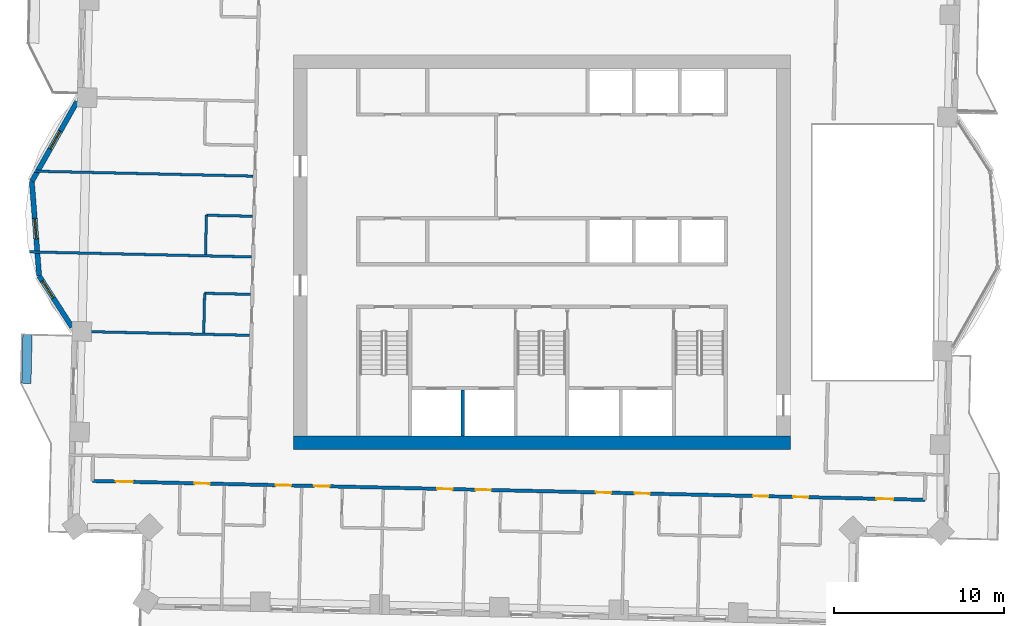
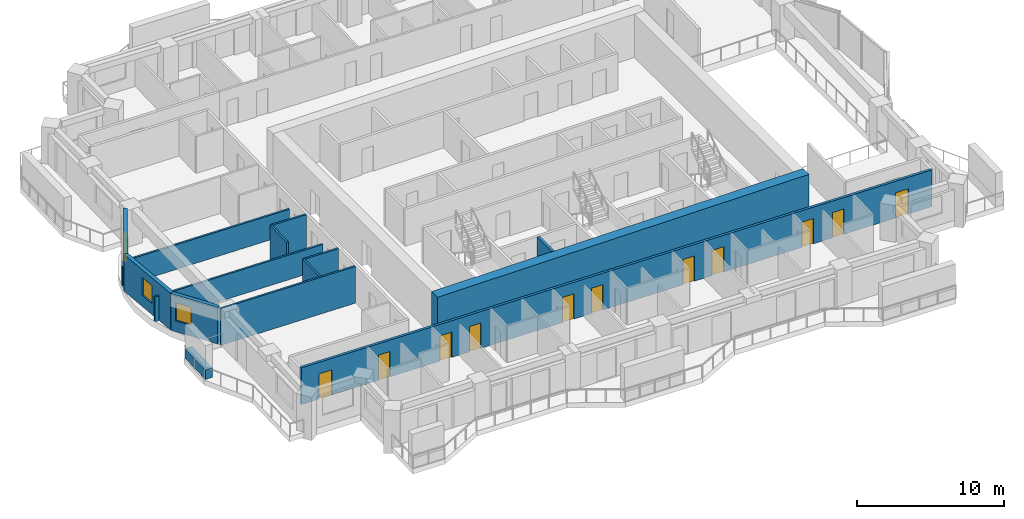
# One storey, part 7 of 16: 14 walls, 11 doors, 3 windows, 14 openings.
"""IFC4 building model written with IfcOpenShell, lengths in metres."""

from ifc_helpers import new_model, si_unit, direction, frame, frame_2d, origin, place, context, subcontext, project, spatial, rectangle, extrude, material, layer, layer_set, type_object, element, fill, save


model = new_model("IFC4")

# Units and contexts
model_context = context("Model", 3, precision=1e-05, world=origin(), true_north=direction((0.0, 1.0)))
body_context = subcontext(model_context, "Body", "Model", "MODEL_VIEW")
ifc_project = project(units=[si_unit("LENGTHUNIT", "METRE"), si_unit("AREAUNIT", "SQUARE_METRE"), si_unit("VOLUMEUNIT", "CUBIC_METRE"), si_unit("PLANEANGLEUNIT", "RADIAN"), si_unit("MASSUNIT", "GRAM", prefix="KILO")], contexts=[model_context])

# Site, building, storey
site_placement = place(None, origin())
site = spatial("IfcSite", under=ifc_project, at=site_placement, CompositionType="ELEMENT")
building_placement = place(site_placement, origin())
building = spatial("IfcBuilding", under=site, at=building_placement, Name="Mangrove Gate Tower", CompositionType="ELEMENT")
storey_placement = place(building_placement, frame((0.0, 0.0, 201.5)))
storey = spatial("IfcBuildingStorey", under=building, at=storey_placement, Name="L51", CompositionType="ELEMENT", Elevation=201.5)

# Walls
ifc_material_1 = material(Name="Concrete C60/75", Category="concrete")
ifc_layer_1 = layer(ifc_material_1, 0.199951171875)
ifc_layer_set_1 = layer_set([ifc_layer_1], Name="Core shaft wall 200 C60/75")
wall_type_1 = type_object("IfcWallType", Name="Core shaft wall 200 C60/75", PredefinedType="SHEAR", material=ifc_layer_set_1)
wall_1_placement = place(storey_placement, frame((-4.64990234375, -10.800048828125, 0.0), z_axis=(0.0, 0.0, 1.0), x_axis=(0.0, 1.0, 0.0)))
element("IfcWall", 1, at=wall_1_placement, inside=storey, type_object=wall_type_1, Name="WALL-L51-CORE-16", PredefinedType="SHEAR", context=body_context, shape_type="SweptSolid", body=[
    extrude(rectangle(XDim=2.699951171875, YDim=0.199951171875, at=frame_2d((1.35009765625, 0.0))), origin(), (0.0, 0.0, 1.0), 3.050048828125),
])
ifc_material_2 = material(Name="Concrete C60/75", Category="concrete")
ifc_layer_2 = layer(ifc_material_2, 0.800048828125)
ifc_layer_set_2 = layer_set([ifc_layer_2], Name="Core wall 800 C60/75")
wall_type_2 = type_object("IfcWallType", Name="Core wall 800 C60/75", PredefinedType="SHEAR", material=ifc_layer_set_2)
wall_2_placement = place(storey_placement, frame((-14.60009765625, -11.199951171875, 0.0), z_axis=(0.0, 0.0, 1.0), x_axis=(1.0, 0.0, 0.0)))
element("IfcWall", 2, at=wall_2_placement, inside=storey, type_object=wall_type_2, Name="WALL-L51-CORE-1", PredefinedType="SHEAR", context=body_context, shape_type="SweptSolid", body=[
    extrude(rectangle(XDim=29.2001953125, YDim=0.800048828125, at=frame_2d((14.60009765625, 0.0))), origin(), (0.0, 0.0, 1.0), 3.60009765625),
])

# Wall, openings, doors
ifc_material_3 = material(Name="Gypsum board on steel stud, EI 60", Category="steel")
ifc_layer_3 = layer(ifc_material_3, 0.199951171875)
ifc_layer_set_3 = layer_set([ifc_layer_3], Name="Corridor wall EI 60")
wall_type_3 = type_object("IfcWallType", Name="Corridor wall EI 60", PredefinedType="PARTITIONING", material=ifc_layer_set_3)
wall_3_placement = place(storey_placement, frame((-26.4208984375, -13.44091796875, 0.0), z_axis=(0.0, 0.0, 1.0), x_axis=(0.999742754064, -0.022680954485, 0.0)))
wall_3 = element("IfcWall", 3, at=wall_3_placement, inside=storey, type_object=wall_type_3, Name="WALL-L51-024", PredefinedType="PARTITIONING", context=body_context, shape_type="SweptSolid", body=[
    extrude(rectangle(XDim=48.944580078125, YDim=0.199951171875, at=frame_2d((24.47216796875, 0.0))), origin(), (0.0, 0.0, 1.0), 3.050048828125),
])
opening_1_placement = place(wall_3_placement, frame((1.375, 0.0, 0.0)))
opening_1 = element("IfcOpeningElement", 4, at=opening_1_placement, cuts=wall_3, Name="Opening AD", PredefinedType="OPENING", context=body_context, shape_type="SweptSolid", body=[
    extrude(rectangle(XDim=1.0, YDim=2.10009765625, at=frame_2d((0.5, 1.050048828125))), frame((0.0, 0.10986328125, 0.0), z_axis=(0.0, -1.0, 0.0), x_axis=(1.0, 0.0, 0.0)), (0.0, 0.0, 1.0), 0.219970703125),
])
opening_2_placement = place(wall_3_placement, frame((6.0, 0.0, 0.0)))
opening_2 = element("IfcOpeningElement", 5, at=opening_2_placement, cuts=wall_3, Name="Opening SD", PredefinedType="OPENING", context=body_context, shape_type="SweptSolid", body=[
    extrude(rectangle(XDim=0.89990234375, YDim=2.10009765625, at=frame_2d((0.449951171875, 1.050048828125))), frame((0.0, 0.10986328125, 0.0), z_axis=(0.0, -1.0, 0.0), x_axis=(1.0, 0.0, 0.0)), (0.0, 0.0, 1.0), 0.219970703125),
])
opening_3_placement = place(wall_3_placement, frame((10.77490234375, 0.0, 0.0)))
opening_3 = element("IfcOpeningElement", 6, at=opening_3_placement, cuts=wall_3, Name="Opening BD", PredefinedType="OPENING", context=body_context, shape_type="SweptSolid", body=[
    extrude(rectangle(XDim=0.89990234375, YDim=2.10009765625, at=frame_2d((0.449951171875, 1.050048828125))), frame((0.0, 0.10986328125, 0.0), z_axis=(0.0, -1.0, 0.0), x_axis=(1.0, 0.0, 0.0)), (0.0, 0.0, 1.0), 0.219970703125),
])
opening_4_placement = place(wall_3_placement, frame((13.050048828125, 0.0, 0.0)))
opening_4 = element("IfcOpeningElement", 7, at=opening_4_placement, cuts=wall_3, Name="Opening BD", PredefinedType="OPENING", context=body_context, shape_type="SweptSolid", body=[
    extrude(rectangle(XDim=0.89990234375, YDim=2.10009765625, at=frame_2d((0.449951171875, 1.050048828125))), frame((0.0, 0.10986328125, 0.0), z_axis=(0.0, -1.0, 0.0), x_axis=(1.0, 0.0, 0.0)), (0.0, 0.0, 1.0), 0.219970703125),
])
opening_5_placement = place(wall_3_placement, frame((20.27490234375, 0.0, 0.0)))
opening_5 = element("IfcOpeningElement", 8, at=opening_5_placement, cuts=wall_3, Name="Opening BD", PredefinedType="OPENING", context=body_context, shape_type="SweptSolid", body=[
    extrude(rectangle(XDim=0.89990234375, YDim=2.10009765625, at=frame_2d((0.449951171875, 1.050048828125))), frame((0.0, 0.10986328125, 0.0), z_axis=(0.0, -1.0, 0.0), x_axis=(1.0, 0.0, 0.0)), (0.0, 0.0, 1.0), 0.219970703125),
])
opening_6_placement = place(wall_3_placement, frame((22.52490234375, 0.0, 0.0)))
opening_6 = element("IfcOpeningElement", 9, at=opening_6_placement, cuts=wall_3, Name="Opening BD", PredefinedType="OPENING", context=body_context, shape_type="SweptSolid", body=[
    extrude(rectangle(XDim=0.89990234375, YDim=2.10009765625, at=frame_2d((0.449951171875, 1.050048828125))), frame((0.0, 0.10986328125, 0.0), z_axis=(0.0, -1.0, 0.0), x_axis=(1.0, 0.0, 0.0)), (0.0, 0.0, 1.0), 0.219970703125),
])
opening_7_placement = place(wall_3_placement, frame((29.60009765625, 0.0, 0.0)))
opening_7 = element("IfcOpeningElement", 10, at=opening_7_placement, cuts=wall_3, Name="Opening BD", PredefinedType="OPENING", context=body_context, shape_type="SweptSolid", body=[
    extrude(rectangle(XDim=0.89990234375, YDim=2.10009765625, at=frame_2d((0.449951171875, 1.050048828125))), frame((0.0, 0.10986328125, 0.0), z_axis=(0.0, -1.0, 0.0), x_axis=(1.0, 0.0, 0.0)), (0.0, 0.0, 1.0), 0.219970703125),
])
opening_8_placement = place(wall_3_placement, frame((31.875, 0.0, 0.0)))
opening_8 = element("IfcOpeningElement", 11, at=opening_8_placement, cuts=wall_3, Name="Opening BD", PredefinedType="OPENING", context=body_context, shape_type="SweptSolid", body=[
    extrude(rectangle(XDim=0.89990234375, YDim=2.10009765625, at=frame_2d((0.449951171875, 1.050048828125))), frame((0.0, 0.10986328125, 0.0), z_axis=(0.0, -1.0, 0.0), x_axis=(1.0, 0.0, 0.0)), (0.0, 0.0, 1.0), 0.219970703125),
])
opening_9_placement = place(wall_3_placement, frame((38.85009765625, 0.0, 0.0)))
opening_9 = element("IfcOpeningElement", 12, at=opening_9_placement, cuts=wall_3, Name="Opening BD", PredefinedType="OPENING", context=body_context, shape_type="SweptSolid", body=[
    extrude(rectangle(XDim=0.89990234375, YDim=2.10009765625, at=frame_2d((0.449951171875, 1.050048828125))), frame((0.0, 0.10986328125, 0.0), z_axis=(0.0, -1.0, 0.0), x_axis=(1.0, 0.0, 0.0)), (0.0, 0.0, 1.0), 0.219970703125),
])
opening_10_placement = place(wall_3_placement, frame((46.096923828125, 0.0, 0.0)))
opening_10 = element("IfcOpeningElement", 13, at=opening_10_placement, cuts=wall_3, Name="Opening AD", PredefinedType="OPENING", context=body_context, shape_type="SweptSolid", body=[
    extrude(rectangle(XDim=1.0, YDim=2.10009765625, at=frame_2d((0.5, 1.050048828125))), frame((0.0, 0.10986328125, 0.0), z_axis=(0.0, -1.0, 0.0), x_axis=(1.0, 0.0, 0.0)), (0.0, 0.0, 1.0), 0.219970703125),
])
opening_11_placement = place(wall_3_placement, frame((41.199951171875, 0.0, 0.0)))
opening_11 = element("IfcOpeningElement", 14, at=opening_11_placement, cuts=wall_3, Name="Opening SD", PredefinedType="OPENING", context=body_context, shape_type="SweptSolid", body=[
    extrude(rectangle(XDim=0.89990234375, YDim=2.10009765625, at=frame_2d((0.449951171875, 1.050048828125))), frame((0.0, 0.10986328125, 0.0), z_axis=(0.0, -1.0, 0.0), x_axis=(1.0, 0.0, 0.0)), (0.0, 0.0, 1.0), 0.219970703125),
])
ifc_material_4 = material(Name="Timber door leaf", Category="wood")
door_type_1 = type_object("IfcDoorType", Name="Amenity door 1000", OperationType="SINGLE_SWING_LEFT", PredefinedType="DOOR", material=ifc_material_4)
door_1_placement = place(opening_1_placement, origin())
door_1 = element("IfcDoor", 15, at=door_1_placement, inside=storey, type_object=door_type_1, Name="DOOR-L51-STU-c1a", OperationType="SINGLE_SWING_LEFT", OverallHeight=2.10009765625, OverallWidth=1.0, PredefinedType="DOOR", context=body_context, shape_type="SweptSolid", body=[
    extrude(rectangle(XDim=1.0, YDim=2.10009765625, at=frame_2d((0.5, 1.050048828125))), frame((0.0, 0.02490234375, 0.0), z_axis=(0.0, -1.0, 0.0), x_axis=(1.0, 0.0, 0.0)), (0.0, 0.0, 1.0), 0.050048828125),
])
fill(opening_1, door_1)
door_2_placement = place(opening_10_placement, origin())
door_2 = element("IfcDoor", 16, at=door_2_placement, inside=storey, type_object=door_type_1, Name="DOOR-L51-STU-c3a", OperationType="SINGLE_SWING_RIGHT", OverallHeight=2.10009765625, OverallWidth=1.0, PredefinedType="DOOR", context=body_context, shape_type="SweptSolid", body=[
    extrude(rectangle(XDim=1.0, YDim=2.10009765625, at=frame_2d((0.5, 1.050048828125))), frame((0.0, 0.02490234375, 0.0), z_axis=(0.0, -1.0, 0.0), x_axis=(1.0, 0.0, 0.0)), (0.0, 0.0, 1.0), 0.050048828125),
])
fill(opening_10, door_2)
ifc_material_5 = material(Name="Timber door leaf", Category="wood")
door_type_2 = type_object("IfcDoorType", Name="Bedroom door 900", OperationType="SINGLE_SWING_LEFT", PredefinedType="DOOR", material=ifc_material_5)
door_3_placement = place(opening_3_placement, origin())
door_3 = element("IfcDoor", 17, at=door_3_placement, inside=storey, type_object=door_type_2, Name="DOOR-L51-BED-c101", OperationType="SINGLE_SWING_LEFT", OverallHeight=2.10009765625, OverallWidth=0.89990234375, PredefinedType="DOOR", context=body_context, shape_type="SweptSolid", body=[
    extrude(rectangle(XDim=0.89990234375, YDim=2.10009765625, at=frame_2d((0.449951171875, 1.050048828125))), frame((0.0, 0.02490234375, 0.0), z_axis=(0.0, -1.0, 0.0), x_axis=(1.0, 0.0, 0.0)), (0.0, 0.0, 1.0), 0.050048828125),
])
fill(opening_3, door_3)
door_4_placement = place(opening_4_placement, origin())
door_4 = element("IfcDoor", 18, at=door_4_placement, inside=storey, type_object=door_type_2, Name="DOOR-L51-BED-c102", OperationType="SINGLE_SWING_RIGHT", OverallHeight=2.10009765625, OverallWidth=0.89990234375, PredefinedType="DOOR", context=body_context, shape_type="SweptSolid", body=[
    extrude(rectangle(XDim=0.89990234375, YDim=2.10009765625, at=frame_2d((0.449951171875, 1.050048828125))), frame((0.0, 0.02490234375, 0.0), z_axis=(0.0, -1.0, 0.0), x_axis=(1.0, 0.0, 0.0)), (0.0, 0.0, 1.0), 0.050048828125),
])
fill(opening_4, door_4)
door_5_placement = place(opening_5_placement, origin())
door_5 = element("IfcDoor", 19, at=door_5_placement, inside=storey, type_object=door_type_2, Name="DOOR-L51-BED-c103", OperationType="SINGLE_SWING_LEFT", OverallHeight=2.10009765625, OverallWidth=0.89990234375, PredefinedType="DOOR", context=body_context, shape_type="SweptSolid", body=[
    extrude(rectangle(XDim=0.89990234375, YDim=2.10009765625, at=frame_2d((0.449951171875, 1.050048828125))), frame((0.0, 0.02490234375, 0.0), z_axis=(0.0, -1.0, 0.0), x_axis=(1.0, 0.0, 0.0)), (0.0, 0.0, 1.0), 0.050048828125),
])
fill(opening_5, door_5)
door_6_placement = place(opening_6_placement, origin())
door_6 = element("IfcDoor", 20, at=door_6_placement, inside=storey, type_object=door_type_2, Name="DOOR-L51-BED-c204", OperationType="SINGLE_SWING_RIGHT", OverallHeight=2.10009765625, OverallWidth=0.89990234375, PredefinedType="DOOR", context=body_context, shape_type="SweptSolid", body=[
    extrude(rectangle(XDim=0.89990234375, YDim=2.10009765625, at=frame_2d((0.449951171875, 1.050048828125))), frame((0.0, 0.02490234375, 0.0), z_axis=(0.0, -1.0, 0.0), x_axis=(1.0, 0.0, 0.0)), (0.0, 0.0, 1.0), 0.050048828125),
])
fill(opening_6, door_6)
door_7_placement = place(opening_7_placement, origin())
door_7 = element("IfcDoor", 21, at=door_7_placement, inside=storey, type_object=door_type_2, Name="DOOR-L51-BED-c205", OperationType="SINGLE_SWING_LEFT", OverallHeight=2.10009765625, OverallWidth=0.89990234375, PredefinedType="DOOR", context=body_context, shape_type="SweptSolid", body=[
    extrude(rectangle(XDim=0.89990234375, YDim=2.10009765625, at=frame_2d((0.449951171875, 1.050048828125))), frame((0.0, 0.02490234375, 0.0), z_axis=(0.0, -1.0, 0.0), x_axis=(1.0, 0.0, 0.0)), (0.0, 0.0, 1.0), 0.050048828125),
])
fill(opening_7, door_7)
door_8_placement = place(opening_8_placement, origin())
door_8 = element("IfcDoor", 22, at=door_8_placement, inside=storey, type_object=door_type_2, Name="DOOR-L51-BED-c206", OperationType="SINGLE_SWING_RIGHT", OverallHeight=2.10009765625, OverallWidth=0.89990234375, PredefinedType="DOOR", context=body_context, shape_type="SweptSolid", body=[
    extrude(rectangle(XDim=0.89990234375, YDim=2.10009765625, at=frame_2d((0.449951171875, 1.050048828125))), frame((0.0, 0.02490234375, 0.0), z_axis=(0.0, -1.0, 0.0), x_axis=(1.0, 0.0, 0.0)), (0.0, 0.0, 1.0), 0.050048828125),
])
fill(opening_8, door_8)
door_9_placement = place(opening_9_placement, origin())
door_9 = element("IfcDoor", 23, at=door_9_placement, inside=storey, type_object=door_type_2, Name="DOOR-L51-BED-c307", OperationType="SINGLE_SWING_LEFT", OverallHeight=2.10009765625, OverallWidth=0.89990234375, PredefinedType="DOOR", context=body_context, shape_type="SweptSolid", body=[
    extrude(rectangle(XDim=0.89990234375, YDim=2.10009765625, at=frame_2d((0.449951171875, 1.050048828125))), frame((0.0, 0.02490234375, 0.0), z_axis=(0.0, -1.0, 0.0), x_axis=(1.0, 0.0, 0.0)), (0.0, 0.0, 1.0), 0.050048828125),
])
fill(opening_9, door_9)
ifc_material_6 = material(Name="Timber door leaf", Category="wood")
door_type_3 = type_object("IfcDoorType", Name="Service room door 900", OperationType="SINGLE_SWING_LEFT", PredefinedType="DOOR", material=ifc_material_6)
door_10_placement = place(opening_2_placement, origin())
door_10 = element("IfcDoor", 24, at=door_10_placement, inside=storey, type_object=door_type_3, Name="DOOR-L51-AWC-c1a", OperationType="SINGLE_SWING_LEFT", OverallHeight=2.10009765625, OverallWidth=0.89990234375, PredefinedType="DOOR", context=body_context, shape_type="SweptSolid", body=[
    extrude(rectangle(XDim=0.89990234375, YDim=2.10009765625, at=frame_2d((0.449951171875, 1.050048828125))), frame((0.0, 0.02490234375, 0.0), z_axis=(0.0, -1.0, 0.0), x_axis=(1.0, 0.0, 0.0)), (0.0, 0.0, 1.0), 0.050048828125),
])
fill(opening_2, door_10)
door_11_placement = place(opening_11_placement, origin())
door_11 = element("IfcDoor", 25, at=door_11_placement, inside=storey, type_object=door_type_3, Name="DOOR-L51-WC-c3a", OperationType="SINGLE_SWING_RIGHT", OverallHeight=2.10009765625, OverallWidth=0.89990234375, PredefinedType="DOOR", context=body_context, shape_type="SweptSolid", body=[
    extrude(rectangle(XDim=0.89990234375, YDim=2.10009765625, at=frame_2d((0.449951171875, 1.050048828125))), frame((0.0, 0.02490234375, 0.0), z_axis=(0.0, -1.0, 0.0), x_axis=(1.0, 0.0, 0.0)), (0.0, 0.0, 1.0), 0.050048828125),
])
fill(opening_11, door_11)

# Wall, opening, window
ifc_material_7 = material(Name="Limestone", Category="masonry")
ifc_layer_4 = layer(ifc_material_7, 0.0400390625, Name="Limestone cladding")
ifc_material_8 = material(Name="Ventilated air gap")
ifc_layer_5 = layer(ifc_material_8, 0.0400390625, Name="Ventilated cavity")
ifc_material_9 = material(Name="Mineral wool insulation")
ifc_layer_6 = layer(ifc_material_9, 0.06005859375, Name="Insulation")
ifc_material_10 = material(Name="Breather membrane")
ifc_layer_7 = layer(ifc_material_10, 0.001953125, Name="Breather membrane")
ifc_material_11 = material(Name="Concrete C20/25 blockwork", Category="masonry")
ifc_layer_8 = layer(ifc_material_11, 0.14990234375, Name="Blockwork backing wall")
ifc_material_12 = material(Name="Gypsum plaster")
ifc_layer_9 = layer(ifc_material_12, 0.008056640625, Name="Internal plaster")
ifc_layer_set_4 = layer_set([ifc_layer_4, ifc_layer_5, ifc_layer_6, ifc_layer_7, ifc_layer_8, ifc_layer_9], Name="External wall 300 limestone cladding")
wall_type_4 = type_object("IfcWallType", Name="External wall 300 limestone cladding", PredefinedType="SOLIDWALL", material=ifc_layer_set_4)
wall_4_placement = place(storey_placement, frame((-27.324951171875, 8.865966796875, 0.0), z_axis=(0.0, 0.0, 1.0), x_axis=(-0.492554919955, -0.870281363025, 0.0)))
wall_4 = element("IfcWall", 26, at=wall_4_placement, inside=storey, type_object=wall_type_4, Name="WALL-L51-W9f1", PredefinedType="SOLIDWALL", context=body_context, shape_type="SweptSolid", body=[
    extrude(rectangle(XDim=5.398193359375, YDim=0.300048828125, at=frame_2d((2.69921875, 0.0))), origin(), (0.0, 0.0, 1.0), 3.050048828125),
])
opening_12_placement = place(wall_4_placement, frame((2.008056640625, 0.0, 0.89990234375)))
opening_12 = element("IfcOpeningElement", 27, at=opening_12_placement, cuts=wall_4, Name="Opening W1", PredefinedType="OPENING", context=body_context, shape_type="SweptSolid", body=[
    extrude(rectangle(XDim=1.199951171875, YDim=1.5, at=frame_2d((0.60009765625, 0.75))), frame((0.0, 0.159912109375, 0.0), z_axis=(0.0, -1.0, 0.0), x_axis=(1.0, 0.0, 0.0)), (0.0, 0.0, 1.0), 0.320068359375),
])
ifc_material_13 = material(Name="Aluminium frame with double-glazed low-e glass", Category="aluminium")
window_type = type_object("IfcWindowType", Name="Side lite 1200x1500", PartitioningType="SINGLE_PANEL", PredefinedType="WINDOW", material=ifc_material_13)
window_1_placement = place(opening_12_placement, origin())
window_1 = element("IfcWindow", 28, at=window_1_placement, inside=storey, type_object=window_type, Name="WIN-L51-W9f1", OverallHeight=1.5, OverallWidth=1.199951171875, PartitioningType="SINGLE_PANEL", PredefinedType="WINDOW", context=body_context, shape_type="SweptSolid", body=[
    extrude(rectangle(XDim=1.199951171875, YDim=1.5, at=frame_2d((0.60009765625, 0.75))), frame((0.0, 0.030029296875, 0.0), z_axis=(0.0, -1.0, 0.0), x_axis=(1.0, 0.0, 0.0)), (0.0, 0.0, 1.0), 0.06005859375),
])
fill(opening_12, window_1)

wall_5_placement = place(storey_placement, frame((-29.98388671875, 4.16796875, 0.0), z_axis=(0.0, 0.0, 1.0), x_axis=(0.076964476481, -0.997033835614, 0.0)))
wall_5 = element("IfcWall", 29, at=wall_5_placement, inside=storey, type_object=wall_type_4, Name="WALL-L51-W9f2", PredefinedType="SOLIDWALL", context=body_context, shape_type="SweptSolid", body=[
    extrude(rectangle(XDim=5.573486328125, YDim=0.300048828125, at=frame_2d((2.78662109375, 0.0))), origin(), (0.0, 0.0, 1.0), 3.050048828125),
])
opening_13_placement = place(wall_5_placement, frame((2.18603515625, 0.0, 0.89990234375)))
opening_13 = element("IfcOpeningElement", 30, at=opening_13_placement, cuts=wall_5, Name="Opening W1", PredefinedType="OPENING", context=body_context, shape_type="SweptSolid", body=[
    extrude(rectangle(XDim=1.199951171875, YDim=1.5, at=frame_2d((0.60009765625, 0.75))), frame((0.0, 0.159912109375, 0.0), z_axis=(0.0, -1.0, 0.0), x_axis=(1.0, 0.0, 0.0)), (0.0, 0.0, 1.0), 0.320068359375),
])
window_2_placement = place(opening_13_placement, origin())
window_2 = element("IfcWindow", 31, at=window_2_placement, inside=storey, type_object=window_type, Name="WIN-L51-W9f2", OverallHeight=1.5, OverallWidth=1.199951171875, PartitioningType="SINGLE_PANEL", PredefinedType="WINDOW", context=body_context, shape_type="SweptSolid", body=[
    extrude(rectangle(XDim=1.199951171875, YDim=1.5, at=frame_2d((0.60009765625, 0.75))), frame((0.0, 0.030029296875, 0.0), z_axis=(0.0, -1.0, 0.0), x_axis=(1.0, 0.0, 0.0)), (0.0, 0.0, 1.0), 0.06005859375),
])
fill(opening_13, window_2)

wall_6_placement = place(storey_placement, frame((-29.554931640625, -1.388916015625, 0.0), z_axis=(0.0, 0.0, 1.0), x_axis=(0.540622779574, -0.8412651248, 0.0)))
wall_6 = element("IfcWall", 32, at=wall_6_placement, inside=storey, type_object=wall_type_4, Name="WALL-L51-W9f3", PredefinedType="SOLIDWALL", context=body_context, shape_type="SweptSolid", body=[
    extrude(rectangle(XDim=3.56982421875, YDim=0.300048828125, at=frame_2d((1.784912109375, 0.0))), origin(), (0.0, 0.0, 1.0), 3.050048828125),
])
opening_14_placement = place(wall_6_placement, frame((0.337890625, 0.0, 0.89990234375)))
opening_14 = element("IfcOpeningElement", 33, at=opening_14_placement, cuts=wall_6, Name="Opening W1", PredefinedType="OPENING", context=body_context, shape_type="SweptSolid", body=[
    extrude(rectangle(XDim=1.199951171875, YDim=1.5, at=frame_2d((0.60009765625, 0.75))), frame((0.0, 0.159912109375, 0.0), z_axis=(0.0, -1.0, 0.0), x_axis=(1.0, 0.0, 0.0)), (0.0, 0.0, 1.0), 0.320068359375),
])
window_3_placement = place(opening_14_placement, origin())
window_3 = element("IfcWindow", 34, at=window_3_placement, inside=storey, type_object=window_type, Name="WIN-L51-W9f3", OverallHeight=1.5, OverallWidth=1.199951171875, PartitioningType="SINGLE_PANEL", PredefinedType="WINDOW", context=body_context, shape_type="SweptSolid", body=[
    extrude(rectangle(XDim=1.199951171875, YDim=1.5, at=frame_2d((0.60009765625, 0.75))), frame((0.0, 0.030029296875, 0.0), z_axis=(0.0, -1.0, 0.0), x_axis=(1.0, 0.0, 0.0)), (0.0, 0.0, 1.0), 0.06005859375),
])
fill(opening_14, window_3)

# Walls
ifc_material_14 = material(Name="Gypsum board on steel stud, EI 60", Category="steel")
ifc_layer_10 = layer(ifc_material_14, 0.14990234375)
ifc_layer_set_5 = layer_set([ifc_layer_10], Name="Party wall 150 EI 60")
wall_type_5 = type_object("IfcWallType", Name="Party wall 150 EI 60", PredefinedType="PARTITIONING", material=ifc_layer_set_5)
wall_7_placement = place(storey_placement, frame((-27.62109375, -4.64111328125, 0.0), z_axis=(0.0, 0.0, 1.0), x_axis=(0.999742728106, -0.022682098664, 0.0)))
element("IfcWall", 35, at=wall_7_placement, inside=storey, type_object=wall_type_5, Name="WALL-L51-035", PredefinedType="PARTITIONING", context=body_context, shape_type="SweptSolid", body=[
    extrude(rectangle(XDim=10.440673828125, YDim=0.14990234375, at=frame_2d((5.22021484375, 0.0))), origin(), (0.0, 0.0, 1.0), 3.050048828125),
])
wall_8_placement = place(storey_placement, frame((-19.8798828125, -4.737060546875, 0.0), z_axis=(0.0, 0.0, 1.0), x_axis=(0.02279059109, 0.999740260747, 0.0)))
element("IfcWall", 36, at=wall_8_placement, inside=storey, type_object=wall_type_5, Name="WALL-L51-036", PredefinedType="PARTITIONING", context=body_context, shape_type="SweptSolid", body=[
    extrude(rectangle(XDim=2.324462890625, YDim=0.14990234375, at=frame_2d((1.162109375, 0.0))), origin(), (0.0, 0.0, 1.0), 3.050048828125),
])
wall_9_placement = place(storey_placement, frame((-19.827880859375, -2.407958984375, 0.0), z_axis=(0.0, 0.0, 1.0), x_axis=(0.99974458177, -0.022600248254, 0.0)))
element("IfcWall", 37, at=wall_9_placement, inside=storey, type_object=wall_type_5, Name="WALL-L51-037", PredefinedType="PARTITIONING", context=body_context, shape_type="SweptSolid", body=[
    extrude(rectangle(XDim=2.70068359375, YDim=0.14990234375, at=frame_2d((1.350341796875, 0.0))), origin(), (0.0, 0.0, 1.0), 3.050048828125),
])
wall_10_placement = place(storey_placement, frame((-19.77490234375, -0.137939453125, 0.0), z_axis=(0.0, 0.0, 1.0), x_axis=(0.02279059109, 0.999740260747, 0.0)))
element("IfcWall", 38, at=wall_10_placement, inside=storey, type_object=wall_type_5, Name="WALL-L51-038", PredefinedType="PARTITIONING", context=body_context, shape_type="SweptSolid", body=[
    extrude(rectangle(XDim=2.324462890625, YDim=0.14990234375, at=frame_2d((1.162109375, 0.0))), origin(), (0.0, 0.0, 1.0), 3.050048828125),
])
wall_11_placement = place(storey_placement, frame((-30.110107421875, 0.02587890625, 0.0), z_axis=(0.0, 0.0, 1.0), x_axis=(0.999743987427, -0.022626524343, 0.0)))
element("IfcWall", 39, at=wall_11_placement, inside=storey, type_object=wall_type_5, Name="WALL-L51-039", PredefinedType="PARTITIONING", context=body_context, shape_type="SweptSolid", body=[
    extrude(rectangle(XDim=13.034423828125, YDim=0.14990234375, at=frame_2d((6.51708984375, 0.0))), origin(), (0.0, 0.0, 1.0), 2.050048828125),
])
wall_12_placement = place(storey_placement, frame((-19.72412109375, 2.180908203125, 0.0), z_axis=(0.0, 0.0, 1.0), x_axis=(0.999746666054, -0.022507858937, 0.0)))
element("IfcWall", 40, at=wall_12_placement, inside=storey, type_object=wall_type_5, Name="WALL-L51-040", PredefinedType="PARTITIONING", context=body_context, shape_type="SweptSolid", body=[
    extrude(rectangle(XDim=2.700927734375, YDim=0.14990234375, at=frame_2d((1.3505859375, 0.0))), origin(), (0.0, 0.0, 1.0), 3.050048828125),
])
wall_13_placement = place(storey_placement, frame((-29.94091796875, 4.77392578125, 0.0), z_axis=(0.0, 0.0, 1.0), x_axis=(0.999741573163, -0.022732947207, 0.0)))
element("IfcWall", 41, at=wall_13_placement, inside=storey, type_object=wall_type_5, Name="WALL-L51-041", PredefinedType="PARTITIONING", context=body_context, shape_type="SweptSolid", body=[
    extrude(rectangle(XDim=12.973388671875, YDim=0.14990234375, at=frame_2d((6.48681640625, 0.0))), origin(), (0.0, 0.0, 1.0), 2.050048828125),
])
ifc_material_15 = material(Name="Concrete C32/40", Category="concrete")
ifc_layer_11 = layer(ifc_material_15, 0.199951171875, Name="Planter trough wall")
ifc_material_16 = material(Name="Bituminous waterproofing membrane")
ifc_layer_12 = layer(ifc_material_16, 0.0048828125, Name="Waterproofing")
ifc_material_17 = material(Name="Drainage board and gravel")
ifc_layer_13 = layer(ifc_material_17, 0.044921875, Name="Drainage layer")
ifc_material_18 = material(Name="Planting soil")
ifc_layer_14 = layer(ifc_material_18, 0.300048828125, Name="Growing medium")
ifc_layer_set_6 = layer_set([ifc_layer_11, ifc_layer_12, ifc_layer_13, ifc_layer_14], Name="Planter wall 550 C32/40")
wall_type_6 = type_object("IfcWallType", Name="Planter wall 550 C32/40", PredefinedType="USERDEFINED", material=ifc_layer_set_6)
wall_14_placement = place(storey_placement, frame((-30.306884765625, -7.700927734375, 0.0), z_axis=(0.0, 0.0, 1.0), x_axis=(0.022929749512, 0.99973707873, 0.0)))
element("IfcWall", 42, at=wall_14_placement, inside=storey, type_object=wall_type_6, Name="PLANTER L51 W1.1", ObjectType="PLANTER", PredefinedType="USERDEFINED", context=body_context, shape_type="SweptSolid", body=[
    extrude(rectangle(XDim=2.874755859375, YDim=0.550048828125, at=frame_2d((1.4375, 0.0))), origin(), (0.0, 0.0, 1.0), 0.800048828125),
])

save(model, "model.ifc")
